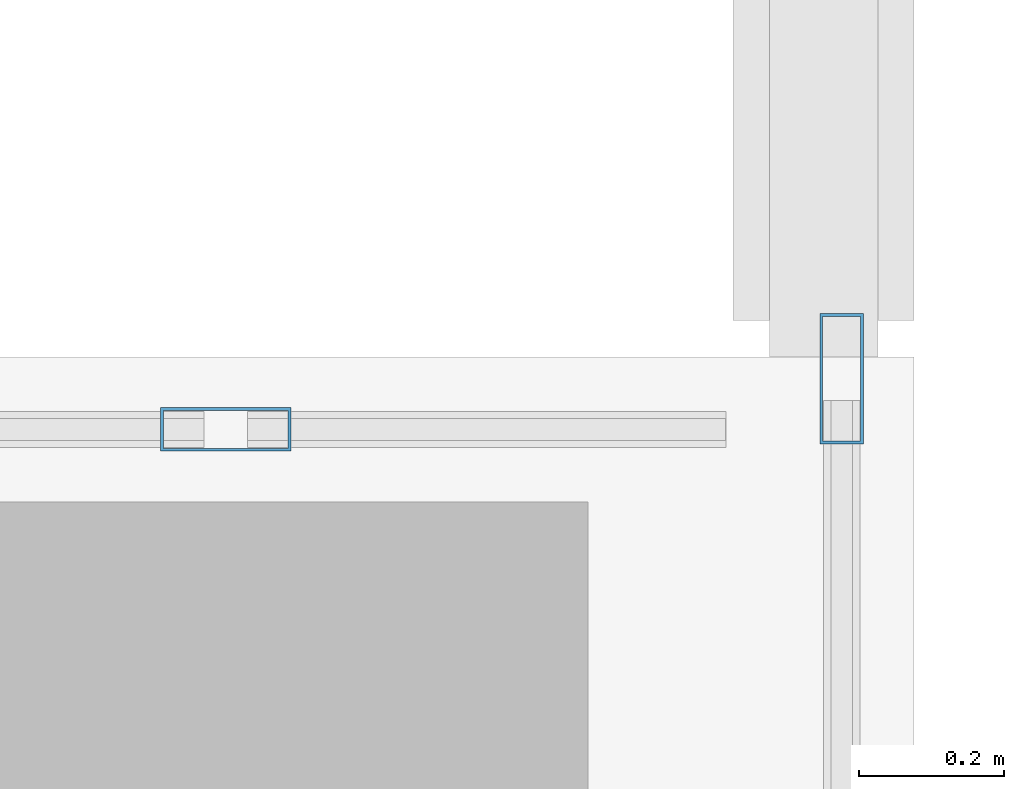
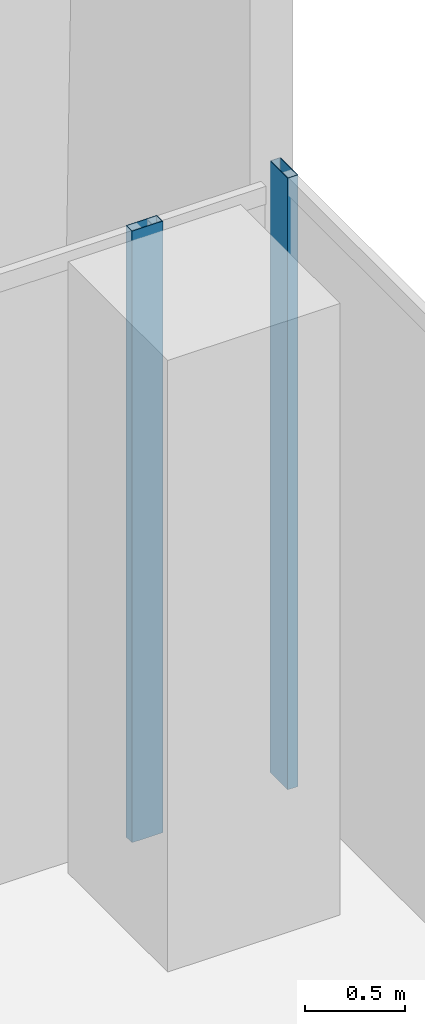
# One storey, part 21 of 35: 2 members, 2 elements without a shape of their own.
"""IFC4 building model written with IfcOpenShell, lengths in metres."""

from ifc_helpers import new_model, si_unit, direction, frame, origin, origin_2d, place, context, subcontext, project, spatial, hollow_rectangle, extrude, source, transform, mapped, material, material_profile, profile_set, type_object, element, aggregate, save


model = new_model("IFC4")

# Units and contexts
model_context = context("Model", 3, precision=1e-05, world=origin(), true_north=direction((0.0, 1.0)))
body_context = subcontext(model_context, "Body", "Model", "MODEL_VIEW")
ifc_project = project(units=[si_unit("LENGTHUNIT", "METRE"), si_unit("AREAUNIT", "SQUARE_METRE"), si_unit("VOLUMEUNIT", "CUBIC_METRE"), si_unit("PLANEANGLEUNIT", "RADIAN"), si_unit("MASSUNIT", "GRAM", prefix="KILO")], contexts=[model_context])

# Site, building, storey
site_placement = place(None, origin())
site = spatial("IfcSite", under=ifc_project, at=site_placement, CompositionType="ELEMENT")
building_placement = place(site_placement, origin())
building = spatial("IfcBuilding", under=site, at=building_placement, Name="Khomas Fold Tower", CompositionType="ELEMENT")
storey_placement = place(building_placement, frame((0.0, 0.0, 188.699951171875)))
storey = spatial("IfcBuildingStorey", under=building, at=storey_placement, Name="L41", CompositionType="ELEMENT", Elevation=188.699951171875)

# Curtain wall, member
ifc_material_1 = material(Name="Aluminium framed double glazing", Category="aluminium")
curtain_wall_type = type_object("IfcCurtainWallType", Name="SK-Unitised clear-glass wall, office floors CW2", PredefinedType="NOTDEFINED", material=ifc_material_1)
curtain_wall_1_placement = place(storey_placement, origin())
curtain_wall_1 = element("IfcCurtainWall", 1, at=curtain_wall_1_placement, inside=storey, type_object=curtain_wall_type, Name="CW2 corner return L41 05", PredefinedType="NOTDEFINED")
ifc_material_2 = material(Name="Aluminium", Category="aluminium")
ifc_material_profile = material_profile(ifc_material_2, hollow_rectangle(XDim=0.06005859375, YDim=0.179931640625, WallThickness=0.00390625, at=origin_2d()), Name="SK-Unitised clear-glass wall, office floors mullion CW2-M")
ifc_profile_set = profile_set([ifc_material_profile], Name="Aluminium")
member_type = type_object("IfcMemberType", Name="SK-Unitised clear-glass wall, office floors mullion CW2-M", PredefinedType="MULLION", material=ifc_profile_set)
shared_shape = source(origin(), body_context, "Body", "SweptSolid", [
    extrude(hollow_rectangle(XDim=0.06005859375, YDim=0.179931640625, WallThickness=0.00390625, at=origin_2d()), origin(), (0.0, 0.0, 1.0), 3.75),
])
member_1_placement = place(storey_placement, frame((46.39990234375, 50.969970703125, 0.0), z_axis=(0.0, 0.0, 1.0), x_axis=(-1.0, 0.0, 0.0)))
member_1 = element("IfcMember", 2, at=member_1_placement, type_object=member_type, Name="CW2 mullion 2", PredefinedType="MULLION", context=body_context, shape_type="MappedRepresentation", body=[
    mapped(shared_shape, transform((0.0, 0.0, 0.0))),
])
aggregate(curtain_wall_1, [member_1])

curtain_wall_2_placement = place(storey_placement, origin())
curtain_wall_2 = element("IfcCurtainWall", 3, at=curtain_wall_2_placement, inside=storey, type_object=curtain_wall_type, Name="CW2 run L41 06-0", PredefinedType="NOTDEFINED")
member_2_placement = place(storey_placement, frame((45.550048828125, 50.89990234375, 0.0), z_axis=(0.0, 0.0, 1.0), x_axis=(0.0, -1.0, 0.0)))
member_2 = element("IfcMember", 4, at=member_2_placement, type_object=member_type, Name="CW2 mullion 2", PredefinedType="MULLION", context=body_context, shape_type="MappedRepresentation", body=[
    mapped(shared_shape, transform((0.0, 0.0, 0.0))),
])
aggregate(curtain_wall_2, [member_2])

save(model, "model.ifc")
